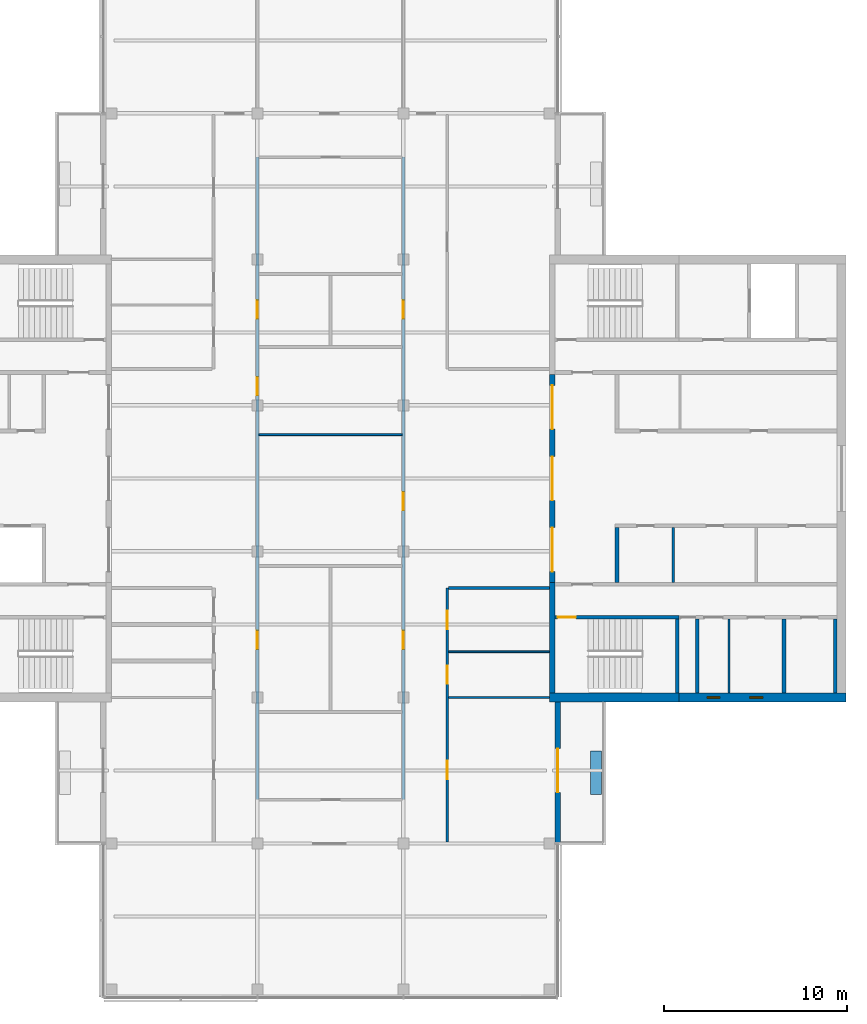
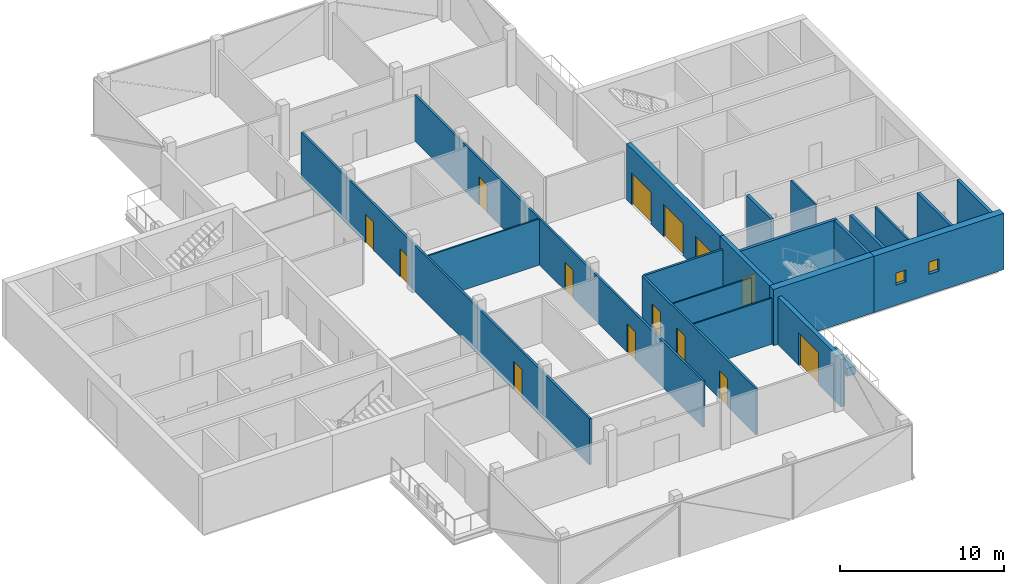
# One storey, part 6 of 12: 21 walls, 14 doors, 2 windows, 16 openings.
"""IFC4 building model written with IfcOpenShell, lengths in metres."""

from ifc_helpers import new_model, si_unit, direction, frame, frame_2d, origin, place, context, subcontext, project, spatial, rectangle, extrude, material, layer, layer_set, constituent, constituent_set, type_object, element, fill, save


model = new_model("IFC4")

# Units and contexts
model_context = context("Model", 3, precision=1e-05, world=origin(), true_north=direction((0.0, 1.0)))
body_context = subcontext(model_context, "Body", "Model", "MODEL_VIEW")
ifc_project = project(units=[si_unit("LENGTHUNIT", "METRE"), si_unit("AREAUNIT", "SQUARE_METRE"), si_unit("VOLUMEUNIT", "CUBIC_METRE"), si_unit("PLANEANGLEUNIT", "RADIAN"), si_unit("MASSUNIT", "GRAM", prefix="KILO")], contexts=[model_context])

# Site, building, storey
site_placement = place(None, origin())
site = spatial("IfcSite", under=ifc_project, at=site_placement, CompositionType="ELEMENT")
building_placement = place(site_placement, origin())
building = spatial("IfcBuilding", under=site, at=building_placement, Name="Crosswind Convention Tower", CompositionType="ELEMENT")
storey_placement = place(building_placement, frame((0.0, 0.0, 311.300048828125)))
storey = spatial("IfcBuildingStorey", under=building, at=storey_placement, Name="L67", CompositionType="ELEMENT", Elevation=311.300048828125)

# Wall
ifc_material_1 = material(Name="Concrete blockwork", Category="masonry")
ifc_layer_1 = layer(ifc_material_1, 0.199951171875)
ifc_layer_set_1 = layer_set([ifc_layer_1], Name="Blockwork partition wall 200")
wall_type_1 = type_object("IfcWallType", Name="Blockwork partition wall 200", PredefinedType="PARTITIONING", material=ifc_layer_set_1)
wall_1_placement = place(storey_placement, frame((145.10009765625, 88.25, 0.0), z_axis=(0.0, 0.0, 1.0), x_axis=(0.0, 1.0, 0.0)))
element("IfcWall", 1, at=wall_1_placement, inside=storey, type_object=wall_type_1, Name="Wall MRSE E L67", PredefinedType="PARTITIONING", context=body_context, shape_type="SweptSolid", body=[
    extrude(rectangle(XDim=4.050048828125, YDim=0.199951171875, at=frame_2d((2.02490234375, 0.0))), origin(), (0.0, 0.0, 1.0), 4.199951171875),
])

# Wall, openings, doors
ifc_material_2 = material(Name="Concrete C50/60", Category="concrete")
ifc_layer_2 = layer(ifc_material_2, 0.300048828125)
ifc_layer_set_2 = layer_set([ifc_layer_2], Name="Concrete C50/60")
wall_type_2 = type_object("IfcWallType", Name="Concrete inner core wall 300", PredefinedType="SHEAR", material=ifc_layer_set_2)
wall_2_placement = place(storey_placement, frame((137.14990234375, 94.300048828125, 0.0), z_axis=(0.0, 0.0, 1.0), x_axis=(0.0, 1.0, 0.0)))
wall_2 = element("IfcWall", 2, at=wall_2_placement, inside=storey, type_object=wall_type_2, Name="Wall SCR E L67", PredefinedType="SHEAR", context=body_context, shape_type="SweptSolid", body=[
    extrude(rectangle(XDim=11.39990234375, YDim=0.300048828125, at=frame_2d((5.699951171875, 0.0))), origin(), (0.0, 0.0, 1.0), 4.199951171875),
])
opening_1_placement = place(wall_2_placement, frame((0.60009765625, 0.0, 0.0)))
opening_1 = element("IfcOpeningElement", 3, at=opening_1_placement, cuts=wall_2, Name="Opening D100", PredefinedType="OPENING", context=body_context, shape_type="SweptSolid", body=[
    extrude(rectangle(XDim=2.39990234375, YDim=2.39990234375, at=frame_2d((1.199951171875, 1.199951171875))), frame((0.0, 0.159912109375, 0.0), z_axis=(0.0, -1.0, 0.0), x_axis=(1.0, 0.0, 0.0)), (0.0, 0.0, 1.0), 0.320068359375),
])
opening_2_placement = place(wall_2_placement, frame((4.5, 0.0, 0.0)))
opening_2 = element("IfcOpeningElement", 4, at=opening_2_placement, cuts=wall_2, Name="Opening D100", PredefinedType="OPENING", context=body_context, shape_type="SweptSolid", body=[
    extrude(rectangle(XDim=2.39990234375, YDim=2.39990234375, at=frame_2d((1.199951171875, 1.199951171875))), frame((0.0, 0.159912109375, 0.0), z_axis=(0.0, -1.0, 0.0), x_axis=(1.0, 0.0, 0.0)), (0.0, 0.0, 1.0), 0.320068359375),
])
opening_3_placement = place(wall_2_placement, frame((8.39990234375, 0.0, 0.0)))
opening_3 = element("IfcOpeningElement", 5, at=opening_3_placement, cuts=wall_2, Name="Opening D100", PredefinedType="OPENING", context=body_context, shape_type="SweptSolid", body=[
    extrude(rectangle(XDim=2.39990234375, YDim=2.39990234375, at=frame_2d((1.199951171875, 1.199951171875))), frame((0.0, 0.159912109375, 0.0), z_axis=(0.0, -1.0, 0.0), x_axis=(1.0, 0.0, 0.0)), (0.0, 0.0, 1.0), 0.320068359375),
])
ifc_material_3 = material(Name="Steel fire door with glazed vision panels", Category="steel")
door_type_1 = type_object("IfcDoorType", Name="Fire-rated double door 2400x2400", OperationType="DOUBLE_DOOR_SINGLE_SWING", PredefinedType="DOOR", material=ifc_material_3)
door_1_placement = place(opening_1_placement, origin())
door_1 = element("IfcDoor", 6, at=door_1_placement, inside=storey, type_object=door_type_1, Name="Lobby door 1 L67", ObjectType="D100", OperationType="DOUBLE_DOOR_SINGLE_SWING", OverallHeight=2.39990234375, OverallWidth=2.39990234375, PredefinedType="DOOR", context=body_context, shape_type="SweptSolid", body=[
    extrude(rectangle(XDim=2.39990234375, YDim=2.39990234375, at=frame_2d((1.199951171875, 1.199951171875))), frame((0.0, 0.02490234375, 0.0), z_axis=(0.0, -1.0, 0.0), x_axis=(1.0, 0.0, 0.0)), (0.0, 0.0, 1.0), 0.050048828125),
])
fill(opening_1, door_1)
door_2_placement = place(opening_2_placement, origin())
door_2 = element("IfcDoor", 7, at=door_2_placement, inside=storey, type_object=door_type_1, Name="Lobby door 2 L67", ObjectType="D100", OperationType="DOUBLE_DOOR_SINGLE_SWING", OverallHeight=2.39990234375, OverallWidth=2.39990234375, PredefinedType="DOOR", context=body_context, shape_type="SweptSolid", body=[
    extrude(rectangle(XDim=2.39990234375, YDim=2.39990234375, at=frame_2d((1.199951171875, 1.199951171875))), frame((0.0, 0.02490234375, 0.0), z_axis=(0.0, -1.0, 0.0), x_axis=(1.0, 0.0, 0.0)), (0.0, 0.0, 1.0), 0.050048828125),
])
fill(opening_2, door_2)
door_3_placement = place(opening_3_placement, origin())
door_3 = element("IfcDoor", 8, at=door_3_placement, inside=storey, type_object=door_type_1, Name="Lobby door 3 L67", ObjectType="D100", OperationType="DOUBLE_DOOR_SINGLE_SWING", OverallHeight=2.39990234375, OverallWidth=2.39990234375, PredefinedType="DOOR", context=body_context, shape_type="SweptSolid", body=[
    extrude(rectangle(XDim=2.39990234375, YDim=2.39990234375, at=frame_2d((1.199951171875, 1.199951171875))), frame((0.0, 0.02490234375, 0.0), z_axis=(0.0, -1.0, 0.0), x_axis=(1.0, 0.0, 0.0)), (0.0, 0.0, 1.0), 0.050048828125),
])
fill(opening_3, door_3)

# Walls
wall_3_placement = place(storey_placement, frame((137.14990234375, 88.25, 0.0), z_axis=(0.0, 0.0, 1.0), x_axis=(0.0, 1.0, 0.0)))
element("IfcWall", 9, at=wall_3_placement, inside=storey, type_object=wall_type_2, Name="Wall EM E L67", PredefinedType="SHEAR", context=body_context, shape_type="SweptSolid", body=[
    extrude(rectangle(XDim=6.050048828125, YDim=0.300048828125, at=frame_2d((3.02490234375, 0.0))), origin(), (0.0, 0.0, 1.0), 4.199951171875),
])
ifc_layer_3 = layer(ifc_material_2, 0.199951171875)
ifc_layer_set_3 = layer_set([ifc_layer_3], Name="Concrete C50/60")
wall_type_3 = type_object("IfcWallType", Name="Concrete shaft and stair wall 200", PredefinedType="SHEAR", material=ifc_layer_set_3)
wall_4_placement = place(storey_placement, frame((140.699951171875, 94.300048828125, 0.0), z_axis=(0.0, 0.0, 1.0), x_axis=(0.0, 1.0, 0.0)))
element("IfcWall", 10, at=wall_4_placement, inside=storey, type_object=wall_type_3, Name="Wall RMEND E L67", PredefinedType="SHEAR", context=body_context, shape_type="SweptSolid", body=[
    extrude(rectangle(XDim=3.0, YDim=0.199951171875, at=frame_2d((1.5, 0.0))), origin(), (0.0, 0.0, 1.0), 4.199951171875),
])
for number, where, z_axis, x_axis, name in (
    (11, (144.0, 88.25, 0.0), (0.0, 0.0, 1.0), (0.0, 1.0, 0.0), "Wall MSE E L67"),
    (12, (149.85009765625, 88.25, 0.0), (0.0, 0.0, 1.0), (0.0, 1.0, 0.0), "Wall MFSW E L67"),
    (13, (152.64990234375, 88.25, 0.0), (0.0, 0.0, 1.0), (0.0, 1.0, 0.0), "Wall MFSE E L67"),
):
    element("IfcWall", number, at=place(storey_placement, frame(where, z_axis=z_axis, x_axis=x_axis)), inside=storey, type_object=wall_type_3, Name=name, PredefinedType="SHEAR", context=body_context, shape_type="SweptSolid", body=[
        extrude(rectangle(XDim=4.050048828125, YDim=0.199951171875, at=frame_2d((2.02490234375, 0.0))), origin(), (0.0, 0.0, 1.0), 4.199951171875),
    ])

# Wall, opening, door
wall_5_placement = place(storey_placement, frame((137.300048828125, 92.39990234375, 0.0), z_axis=(0.0, 0.0, 1.0), x_axis=(1.0, 0.0, 0.0)))
wall_5 = element("IfcWall", 14, at=wall_5_placement, inside=storey, type_object=wall_type_3, Name="Wall MCW E L67", PredefinedType="SHEAR", context=body_context, shape_type="SweptSolid", body=[
    extrude(rectangle(XDim=6.800048828125, YDim=0.199951171875, at=frame_2d((3.39990234375, 0.0))), origin(), (0.0, 0.0, 1.0), 4.199951171875),
])
opening_4_placement = place(wall_5_placement, frame((0.14990234375, 0.0, 0.0)))
opening_4 = element("IfcOpeningElement", 15, at=opening_4_placement, cuts=wall_5, Name="Opening D103", PredefinedType="OPENING", context=body_context, shape_type="SweptSolid", body=[
    extrude(rectangle(XDim=1.0, YDim=2.10009765625, at=frame_2d((0.5, 1.050048828125))), frame((0.0, 0.10986328125, 0.0), z_axis=(0.0, -1.0, 0.0), x_axis=(1.0, 0.0, 0.0)), (0.0, 0.0, 1.0), 0.219970703125),
])
ifc_material_4 = material(Name="Steel fire door", Category="steel")
door_type_2 = type_object("IfcDoorType", Name="Fire-rated single door 1000x2100", OperationType="NOTDEFINED", PredefinedType="DOOR", material=ifc_material_4)
door_4_placement = place(opening_4_placement, frame((1.0, 0.0, 0.0), z_axis=(0.0, 0.0, 1.0), x_axis=(-1.0, 0.0, 0.0)))
door_4 = element("IfcDoor", 16, at=door_4_placement, inside=storey, type_object=door_type_2, Name="Stair ST2 door L67", ObjectType="D103", OperationType="SINGLE_SWING_RIGHT", OverallHeight=2.10009765625, OverallWidth=1.0, PredefinedType="DOOR", context=body_context, shape_type="SweptSolid", body=[
    extrude(rectangle(XDim=1.0, YDim=2.10009765625, at=frame_2d((0.5, 1.050048828125))), frame((0.0, 0.02490234375, 0.0), z_axis=(0.0, -1.0, 0.0), x_axis=(1.0, 0.0, 0.0)), (0.0, 0.0, 1.0), 0.050048828125),
])
fill(opening_4, door_4)

# Walls
ifc_material_5 = material(Name="Gypsum plasterboard partition", Category="gypsum")
ifc_layer_4 = layer(ifc_material_5, 0.125)
ifc_layer_set_4 = layer_set([ifc_layer_4], Name="Drywall partition wall 125")
wall_type_4 = type_object("IfcWallType", Name="Drywall partition wall 125", PredefinedType="PARTITIONING", material=ifc_layer_set_4)
wall_6_placement = place(storey_placement, frame((143.78759765625, 94.300048828125, 0.0), z_axis=(0.0, 0.0, 1.0), x_axis=(0.0, 1.0, 0.0)))
element("IfcWall", 17, at=wall_6_placement, inside=storey, type_object=wall_type_4, Name="Wall RMP1 E L67", PredefinedType="PARTITIONING", context=body_context, shape_type="SweptSolid", body=[
    extrude(rectangle(XDim=3.0, YDim=0.125, at=frame_2d((1.5, 0.0))), origin(), (0.0, 0.0, 1.0), 4.199951171875),
])
wall_7_placement = place(storey_placement, frame((146.837890625, 88.25, 0.0), z_axis=(0.0, 0.0, 1.0), x_axis=(0.0, 1.0, 0.0)))
element("IfcWall", 18, at=wall_7_placement, inside=storey, type_object=wall_type_4, Name="Wall MWP1 E L67", PredefinedType="PARTITIONING", context=body_context, shape_type="SweptSolid", body=[
    extrude(rectangle(XDim=4.050048828125, YDim=0.125, at=frame_2d((2.02490234375, 0.0))), origin(), (0.0, 0.0, 1.0), 4.199951171875),
])
ifc_material_6 = material(Name="Plasterboard partition", Category="gypsum")
ifc_layer_5 = layer(ifc_material_6, 0.10009765625)
ifc_layer_set_5 = layer_set([ifc_layer_5], Name="PARTITION 100 METAL STUD")
wall_type_5 = type_object("IfcWallType", Name="PARTITION 100 METAL STUD", PredefinedType="PARTITIONING", material=ifc_layer_set_5)
for number, where, z_axis, x_axis, name in (
    (19, (131.47509765625, 88.0, 0.0), (0.0, 0.0, 1.0), (1.0, 0.0, 0.0), "Partition wall WT40"),
    (20, (131.47509765625, 90.5, 0.0), (0.0, 0.0, 1.0), (1.0, 0.0, 0.0), "Partition wall WT40"),
):
    element("IfcWall", number, at=place(storey_placement, frame(where, z_axis=z_axis, x_axis=x_axis)), inside=storey, type_object=wall_type_5, Name=name, PredefinedType="PARTITIONING", context=body_context, shape_type="SweptSolid", body=[
        extrude(rectangle(XDim=5.52490234375, YDim=0.10009765625, at=frame_2d((2.762451171875, 0.0))), origin(), (0.0, 0.0, 1.0), 3.44287109375),
    ])
wall_8_placement = place(storey_placement, frame((121.074951171875, 102.39990234375, 0.0), z_axis=(0.0, 0.0, 1.0), x_axis=(1.0, 0.0, 0.0)))
element("IfcWall", 21, at=wall_8_placement, inside=storey, type_object=wall_type_5, Name="Partition wall WT40", PredefinedType="PARTITIONING", context=body_context, shape_type="SweptSolid", body=[
    extrude(rectangle(XDim=7.85009765625, YDim=0.10009765625, at=frame_2d((3.925048828125, 0.0))), origin(), (0.0, 0.0, 1.0), 3.44287109375),
])
ifc_material_7 = material(Name="Concrete C30/37", Category="concrete")
ifc_layer_6 = layer(ifc_material_7, 0.60009765625)
ifc_layer_set_6 = layer_set([ifc_layer_6], Name="Concrete C30/37")
wall_type_6 = type_object("IfcWallType", Name="PLANTER BOX WALL 600", PredefinedType="SOLIDWALL", material=ifc_layer_set_6)
wall_9_placement = place(storey_placement, frame((139.550048828125, 82.675048828125, 0.0), z_axis=(0.0, 0.0, 1.0), x_axis=(0.0, 1.0, 0.0)))
element("IfcWall", 22, at=wall_9_placement, inside=storey, type_object=wall_type_6, Name="PLANTER L67 S-E.1-2", PredefinedType="SOLIDWALL", context=body_context, shape_type="SweptSolid", body=[
    extrude(rectangle(XDim=2.39990234375, YDim=0.60009765625, at=frame_2d((1.199951171875, 0.0))), origin(), (0.0, 0.0, 1.0), 0.599853515625),
])

# Wall, openings, doors
ifc_material_8 = material(Name="Fire-board partition with mineral wool", Category="gypsum")
ifc_layer_7 = layer(ifc_material_8, 0.14990234375)
ifc_layer_set_7 = layer_set([ifc_layer_7], Name="TENANCY WALL 150 TWO-HOUR BOARD")
wall_type_7 = type_object("IfcWallType", Name="TENANCY WALL 150 TWO-HOUR BOARD", PredefinedType="PARTITIONING", material=ifc_layer_set_7)
wall_10_placement = place(storey_placement, frame((121.0, 82.39990234375, 0.0), z_axis=(0.0, 0.0, 1.0), x_axis=(0.0, 1.0, 0.0)))
wall_10 = element("IfcWall", 23, at=wall_10_placement, inside=storey, type_object=wall_type_7, Name="Tenancy wall WT41", PredefinedType="PARTITIONING", context=body_context, shape_type="SweptSolid", body=[
    extrude(rectangle(XDim=35.2001953125, YDim=0.14990234375, at=frame_2d((17.60009765625, 0.0))), origin(), (0.0, 0.0, 1.0), 3.44287109375),
])
opening_5_placement = place(wall_10_placement, frame((8.25, 0.0, 0.0)))
opening_5 = element("IfcOpeningElement", 24, at=opening_5_placement, cuts=wall_10, Name="Opening L67-66", PredefinedType="OPENING", context=body_context, shape_type="SweptSolid", body=[
    extrude(rectangle(XDim=1.0, YDim=2.10009765625, at=frame_2d((0.5, 1.050048828125))), frame((0.0, 0.0849609375, 0.0), z_axis=(0.0, -1.0, 0.0), x_axis=(1.0, 0.0, 0.0)), (0.0, 0.0, 1.0), 0.169921875),
])
opening_6_placement = place(wall_10_placement, frame((22.14990234375, 0.0, 0.0)))
opening_6 = element("IfcOpeningElement", 25, at=opening_6_placement, cuts=wall_10, Name="Opening L67-69", PredefinedType="OPENING", context=body_context, shape_type="SweptSolid", body=[
    extrude(rectangle(XDim=1.0, YDim=2.10009765625, at=frame_2d((0.5, 1.050048828125))), frame((0.0, 0.0849609375, 0.0), z_axis=(0.0, -1.0, 0.0), x_axis=(1.0, 0.0, 0.0)), (0.0, 0.0, 1.0), 0.169921875),
])
opening_7_placement = place(wall_10_placement, frame((26.35009765625, 0.0, 0.0)))
opening_7 = element("IfcOpeningElement", 26, at=opening_7_placement, cuts=wall_10, Name="Opening L67-70", PredefinedType="OPENING", context=body_context, shape_type="SweptSolid", body=[
    extrude(rectangle(XDim=1.0, YDim=2.10009765625, at=frame_2d((0.5, 1.050048828125))), frame((0.0, 0.0849609375, 0.0), z_axis=(0.0, -1.0, 0.0), x_axis=(1.0, 0.0, 0.0)), (0.0, 0.0, 1.0), 0.169921875),
])
ifc_material_9 = material(Name="Timber fire door", Category="wood")
door_type_3 = type_object("IfcDoorType", Name="TENANCY ENTRANCE DOOR 1000X2100 FD30S", OperationType="NOTDEFINED", PredefinedType="DOOR", material=ifc_material_9)
door_5_placement = place(opening_5_placement, frame((1.0, 0.0, 0.0), z_axis=(0.0, 0.0, 1.0), x_axis=(-1.0, 0.0, 0.0)))
door_5 = element("IfcDoor", 27, at=door_5_placement, inside=storey, type_object=door_type_3, Name="Door L67-66", ObjectType="D41", OperationType="SINGLE_SWING_RIGHT", OverallHeight=2.10009765625, OverallWidth=1.0, PredefinedType="DOOR", context=body_context, shape_type="SweptSolid", body=[
    extrude(rectangle(XDim=1.0, YDim=2.10009765625, at=frame_2d((0.5, 1.050048828125))), frame((0.0, 0.02490234375, 0.0), z_axis=(0.0, -1.0, 0.0), x_axis=(1.0, 0.0, 0.0)), (0.0, 0.0, 1.0), 0.050048828125),
])
fill(opening_5, door_5)
door_6_placement = place(opening_6_placement, frame((1.0, 0.0, 0.0), z_axis=(0.0, 0.0, 1.0), x_axis=(-1.0, 0.0, 0.0)))
door_6 = element("IfcDoor", 28, at=door_6_placement, inside=storey, type_object=door_type_3, Name="Door L67-69", ObjectType="D41", OperationType="SINGLE_SWING_RIGHT", OverallHeight=2.10009765625, OverallWidth=1.0, PredefinedType="DOOR", context=body_context, shape_type="SweptSolid", body=[
    extrude(rectangle(XDim=1.0, YDim=2.10009765625, at=frame_2d((0.5, 1.050048828125))), frame((0.0, 0.02490234375, 0.0), z_axis=(0.0, -1.0, 0.0), x_axis=(1.0, 0.0, 0.0)), (0.0, 0.0, 1.0), 0.050048828125),
])
fill(opening_6, door_6)
door_7_placement = place(opening_7_placement, frame((1.0, 0.0, 0.0), z_axis=(0.0, 0.0, 1.0), x_axis=(-1.0, 0.0, 0.0)))
door_7 = element("IfcDoor", 29, at=door_7_placement, inside=storey, type_object=door_type_3, Name="Door L67-70", ObjectType="D41", OperationType="SINGLE_SWING_LEFT", OverallHeight=2.10009765625, OverallWidth=1.0, PredefinedType="DOOR", context=body_context, shape_type="SweptSolid", body=[
    extrude(rectangle(XDim=1.0, YDim=2.10009765625, at=frame_2d((0.5, 1.050048828125))), frame((0.0, 0.02490234375, 0.0), z_axis=(0.0, -1.0, 0.0), x_axis=(1.0, 0.0, 0.0)), (0.0, 0.0, 1.0), 0.050048828125),
])
fill(opening_7, door_7)

wall_11_placement = place(storey_placement, frame((129.0, 82.39990234375, 0.0), z_axis=(0.0, 0.0, 1.0), x_axis=(0.0, 1.0, 0.0)))
wall_11 = element("IfcWall", 30, at=wall_11_placement, inside=storey, type_object=wall_type_7, Name="Tenancy wall WT41", PredefinedType="PARTITIONING", context=body_context, shape_type="SweptSolid", body=[
    extrude(rectangle(XDim=35.2001953125, YDim=0.14990234375, at=frame_2d((17.60009765625, 0.0))), origin(), (0.0, 0.0, 1.0), 3.44287109375),
])
opening_8_placement = place(wall_11_placement, frame((8.25, 0.0, 0.0)))
opening_8 = element("IfcOpeningElement", 31, at=opening_8_placement, cuts=wall_11, Name="Opening L67-67", PredefinedType="OPENING", context=body_context, shape_type="SweptSolid", body=[
    extrude(rectangle(XDim=1.0, YDim=2.10009765625, at=frame_2d((0.5, 1.050048828125))), frame((0.0, 0.0849609375, 0.0), z_axis=(0.0, -1.0, 0.0), x_axis=(1.0, 0.0, 0.0)), (0.0, 0.0, 1.0), 0.169921875),
])
opening_9_placement = place(wall_11_placement, frame((15.85009765625, 0.0, 0.0)))
opening_9 = element("IfcOpeningElement", 32, at=opening_9_placement, cuts=wall_11, Name="Opening L67-68", PredefinedType="OPENING", context=body_context, shape_type="SweptSolid", body=[
    extrude(rectangle(XDim=1.0, YDim=2.10009765625, at=frame_2d((0.5, 1.050048828125))), frame((0.0, 0.0849609375, 0.0), z_axis=(0.0, -1.0, 0.0), x_axis=(1.0, 0.0, 0.0)), (0.0, 0.0, 1.0), 0.169921875),
])
opening_10_placement = place(wall_11_placement, frame((26.35009765625, 0.0, 0.0)))
opening_10 = element("IfcOpeningElement", 33, at=opening_10_placement, cuts=wall_11, Name="Opening L67-71", PredefinedType="OPENING", context=body_context, shape_type="SweptSolid", body=[
    extrude(rectangle(XDim=1.0, YDim=2.10009765625, at=frame_2d((0.5, 1.050048828125))), frame((0.0, 0.0849609375, 0.0), z_axis=(0.0, -1.0, 0.0), x_axis=(1.0, 0.0, 0.0)), (0.0, 0.0, 1.0), 0.169921875),
])
door_8_placement = place(opening_8_placement, origin())
door_8 = element("IfcDoor", 34, at=door_8_placement, inside=storey, type_object=door_type_3, Name="Door L67-67", ObjectType="D41", OperationType="SINGLE_SWING_LEFT", OverallHeight=2.10009765625, OverallWidth=1.0, PredefinedType="DOOR", context=body_context, shape_type="SweptSolid", body=[
    extrude(rectangle(XDim=1.0, YDim=2.10009765625, at=frame_2d((0.5, 1.050048828125))), frame((0.0, 0.02490234375, 0.0), z_axis=(0.0, -1.0, 0.0), x_axis=(1.0, 0.0, 0.0)), (0.0, 0.0, 1.0), 0.050048828125),
])
fill(opening_8, door_8)
door_9_placement = place(opening_9_placement, origin())
door_9 = element("IfcDoor", 35, at=door_9_placement, inside=storey, type_object=door_type_3, Name="Door L67-68", ObjectType="D41", OperationType="SINGLE_SWING_LEFT", OverallHeight=2.10009765625, OverallWidth=1.0, PredefinedType="DOOR", context=body_context, shape_type="SweptSolid", body=[
    extrude(rectangle(XDim=1.0, YDim=2.10009765625, at=frame_2d((0.5, 1.050048828125))), frame((0.0, 0.02490234375, 0.0), z_axis=(0.0, -1.0, 0.0), x_axis=(1.0, 0.0, 0.0)), (0.0, 0.0, 1.0), 0.050048828125),
])
fill(opening_9, door_9)
door_10_placement = place(opening_10_placement, origin())
door_10 = element("IfcDoor", 36, at=door_10_placement, inside=storey, type_object=door_type_3, Name="Door L67-71", ObjectType="D41", OperationType="SINGLE_SWING_RIGHT", OverallHeight=2.10009765625, OverallWidth=1.0, PredefinedType="DOOR", context=body_context, shape_type="SweptSolid", body=[
    extrude(rectangle(XDim=1.0, YDim=2.10009765625, at=frame_2d((0.5, 1.050048828125))), frame((0.0, 0.02490234375, 0.0), z_axis=(0.0, -1.0, 0.0), x_axis=(1.0, 0.0, 0.0)), (0.0, 0.0, 1.0), 0.050048828125),
])
fill(opening_10, door_10)

wall_12_placement = place(storey_placement, frame((131.39990234375, 80.074951171875, 0.0), z_axis=(0.0, 0.0, 1.0), x_axis=(0.0, 1.0, 0.0)))
wall_12 = element("IfcWall", 37, at=wall_12_placement, inside=storey, type_object=wall_type_7, Name="Tenancy wall WT41", PredefinedType="PARTITIONING", context=body_context, shape_type="SweptSolid", body=[
    extrude(rectangle(XDim=13.925048828125, YDim=0.14990234375, at=frame_2d((6.96240234375, 0.0))), origin(), (0.0, 0.0, 1.0), 3.44287109375),
])
opening_11_placement = place(wall_12_placement, frame((11.675048828125, 0.0, 0.0)))
opening_11 = element("IfcOpeningElement", 38, at=opening_11_placement, cuts=wall_12, Name="Opening L67-51", PredefinedType="OPENING", context=body_context, shape_type="SweptSolid", body=[
    extrude(rectangle(XDim=1.0, YDim=2.10009765625, at=frame_2d((0.5, 1.050048828125))), frame((0.0, 0.0849609375, 0.0), z_axis=(0.0, -1.0, 0.0), x_axis=(1.0, 0.0, 0.0)), (0.0, 0.0, 1.0), 0.169921875),
])
opening_12_placement = place(wall_12_placement, frame((8.675048828125, 0.0, 0.0)))
opening_12 = element("IfcOpeningElement", 39, at=opening_12_placement, cuts=wall_12, Name="Opening L67-52", PredefinedType="OPENING", context=body_context, shape_type="SweptSolid", body=[
    extrude(rectangle(XDim=1.0, YDim=2.10009765625, at=frame_2d((0.5, 1.050048828125))), frame((0.0, 0.0849609375, 0.0), z_axis=(0.0, -1.0, 0.0), x_axis=(1.0, 0.0, 0.0)), (0.0, 0.0, 1.0), 0.169921875),
])
opening_13_placement = place(wall_12_placement, frame((3.449951171875, 0.0, 0.0)))
opening_13 = element("IfcOpeningElement", 40, at=opening_13_placement, cuts=wall_12, Name="Opening L67-53", PredefinedType="OPENING", context=body_context, shape_type="SweptSolid", body=[
    extrude(rectangle(XDim=1.0, YDim=2.10009765625, at=frame_2d((0.5, 1.050048828125))), frame((0.0, 0.0849609375, 0.0), z_axis=(0.0, -1.0, 0.0), x_axis=(1.0, 0.0, 0.0)), (0.0, 0.0, 1.0), 0.169921875),
])
door_11_placement = place(opening_11_placement, frame((1.0, 0.0, 0.0), z_axis=(0.0, 0.0, 1.0), x_axis=(-1.0, 0.0, 0.0)))
door_11 = element("IfcDoor", 41, at=door_11_placement, inside=storey, type_object=door_type_3, Name="Door L67-51", ObjectType="D41", OperationType="SINGLE_SWING_LEFT", OverallHeight=2.10009765625, OverallWidth=1.0, PredefinedType="DOOR", context=body_context, shape_type="SweptSolid", body=[
    extrude(rectangle(XDim=1.0, YDim=2.10009765625, at=frame_2d((0.5, 1.050048828125))), frame((0.0, 0.02490234375, 0.0), z_axis=(0.0, -1.0, 0.0), x_axis=(1.0, 0.0, 0.0)), (0.0, 0.0, 1.0), 0.050048828125),
])
fill(opening_11, door_11)
door_12_placement = place(opening_12_placement, frame((1.0, 0.0, 0.0), z_axis=(0.0, 0.0, 1.0), x_axis=(-1.0, 0.0, 0.0)))
door_12 = element("IfcDoor", 42, at=door_12_placement, inside=storey, type_object=door_type_3, Name="Door L67-52", ObjectType="D41", OperationType="SINGLE_SWING_LEFT", OverallHeight=2.10009765625, OverallWidth=1.0, PredefinedType="DOOR", context=body_context, shape_type="SweptSolid", body=[
    extrude(rectangle(XDim=1.0, YDim=2.10009765625, at=frame_2d((0.5, 1.050048828125))), frame((0.0, 0.02490234375, 0.0), z_axis=(0.0, -1.0, 0.0), x_axis=(1.0, 0.0, 0.0)), (0.0, 0.0, 1.0), 0.050048828125),
])
fill(opening_12, door_12)
door_13_placement = place(opening_13_placement, frame((1.0, 0.0, 0.0), z_axis=(0.0, 0.0, 1.0), x_axis=(-1.0, 0.0, 0.0)))
door_13 = element("IfcDoor", 43, at=door_13_placement, inside=storey, type_object=door_type_3, Name="Door L67-53", ObjectType="D41", OperationType="SINGLE_SWING_LEFT", OverallHeight=2.10009765625, OverallWidth=1.0, PredefinedType="DOOR", context=body_context, shape_type="SweptSolid", body=[
    extrude(rectangle(XDim=1.0, YDim=2.10009765625, at=frame_2d((0.5, 1.050048828125))), frame((0.0, 0.02490234375, 0.0), z_axis=(0.0, -1.0, 0.0), x_axis=(1.0, 0.0, 0.0)), (0.0, 0.0, 1.0), 0.050048828125),
])
fill(opening_13, door_13)

# Wall
wall_13_placement = place(storey_placement, frame((131.47509765625, 94.0, 0.0), z_axis=(0.0, 0.0, 1.0), x_axis=(1.0, 0.0, 0.0)))
element("IfcWall", 44, at=wall_13_placement, inside=storey, type_object=wall_type_7, Name="Tenancy wall WT41", PredefinedType="PARTITIONING", context=body_context, shape_type="SweptSolid", body=[
    extrude(rectangle(XDim=5.52490234375, YDim=0.14990234375, at=frame_2d((2.762451171875, 0.0))), origin(), (0.0, 0.0, 1.0), 3.44287109375),
])

# Wall, opening, door
ifc_material_10 = material(Name="Terracotta rainscreen", Category="ceramic")
ifc_layer_8 = layer(ifc_material_10, 0.02001953125)
ifc_material_11 = material(Name="Mineral wool insulation", Category="insulation")
ifc_layer_9 = layer(ifc_material_11, 0.10009765625)
ifc_layer_10 = layer(ifc_material_1, 0.179931640625)
ifc_layer_set_8 = layer_set([ifc_layer_8, ifc_layer_9, ifc_layer_10], Name="TERRACOTTA INFILL WALL 300")
wall_type_8 = type_object("IfcWallType", Name="TERRACOTTA INFILL WALL 300", PredefinedType="SOLIDWALL", material=ifc_layer_set_8)
wall_14_placement = place(storey_placement, frame((137.449951171875, 80.034912109375, 0.0), z_axis=(0.0, 0.0, 1.0), x_axis=(0.0, 1.0, 0.0)))
wall_14 = element("IfcWall", 45, at=wall_14_placement, inside=storey, type_object=wall_type_8, Name="Notch front wall L67 S-E.1-2", PredefinedType="SOLIDWALL", context=body_context, shape_type="SweptSolid", body=[
    extrude(rectangle(XDim=7.715087890625, YDim=0.300048828125, at=frame_2d((3.857421875, 0.0))), origin(), (0.0, 0.0, 1.0), 3.54443359375),
])
opening_14_placement = place(wall_14_placement, frame((2.764892578125, 0.0, 0.0)))
opening_14 = element("IfcOpeningElement", 46, at=opening_14_placement, cuts=wall_14, Name="Opening D143", PredefinedType="OPENING", context=body_context, shape_type="SweptSolid", body=[
    extrude(rectangle(XDim=2.39990234375, YDim=2.39990234375, at=frame_2d((1.199951171875, 1.199951171875))), frame((0.0, 0.159912109375, 0.0), z_axis=(0.0, -1.0, 0.0), x_axis=(1.0, 0.0, 0.0)), (0.0, 0.0, 1.0), 0.320068359375),
])
ifc_material_12 = material(Name="Aluminium glazed door", Category="aluminium")
door_type_4 = type_object("IfcDoorType", Name="WINTER GARDEN SLIDING DOOR 2400X2400", OperationType="SLIDING_TO_LEFT", PredefinedType="DOOR", material=ifc_material_12)
door_14_placement = place(opening_14_placement, frame((2.39990234375, 0.0, 0.0), z_axis=(0.0, 0.0, 1.0), x_axis=(-1.0, 0.0, 0.0)))
door_14 = element("IfcDoor", 47, at=door_14_placement, inside=storey, type_object=door_type_4, Name="D143 winter garden door L67 S-E.1-2", ObjectType="D143", OperationType="SLIDING_TO_LEFT", OverallHeight=2.39990234375, OverallWidth=2.39990234375, PredefinedType="DOOR", context=body_context, shape_type="SweptSolid", body=[
    extrude(rectangle(XDim=2.39990234375, YDim=2.39990234375, at=frame_2d((1.199951171875, 1.199951171875))), frame((0.0, 0.02490234375, 0.0), z_axis=(0.0, -1.0, 0.0), x_axis=(1.0, 0.0, 0.0)), (0.0, 0.0, 1.0), 0.050048828125),
])
fill(opening_14, door_14)

# Wall
ifc_material_13 = material(Name="Concrete C60/75", Category="concrete")
ifc_constituent_1 = constituent(ifc_material_13, Name="Structure")
ifc_constituent_2 = constituent(ifc_material_10, Name="Facing")
ifc_constituent_set = constituent_set(constituents=[ifc_constituent_1, ifc_constituent_2], Name="Concrete C60/75, Terracotta rainscreen")
wall_type_9 = type_object("IfcWallType", Name="Terracotta rainscreen on concrete core wall 500", PredefinedType="SHEAR", material=ifc_constituent_set)
wall_15_placement = place(storey_placement, frame((137.0, 88.0, 0.0), z_axis=(0.0, 0.0, 1.0), x_axis=(1.0, 0.0, 0.0)))
element("IfcWall", 48, at=wall_15_placement, inside=storey, type_object=wall_type_9, Name="Wall S1 E L67", PredefinedType="SHEAR", context=body_context, shape_type="SweptSolid", body=[
    extrude(rectangle(XDim=7.10009765625, YDim=0.5, at=frame_2d((3.550048828125, 0.0))), origin(), (0.0, 0.0, 1.0), 4.199951171875),
])

# Wall, openings, windows
wall_16_placement = place(storey_placement, frame((144.10009765625, 88.0, 0.0), z_axis=(0.0, 0.0, 1.0), x_axis=(1.0, 0.0, 0.0)))
wall_16 = element("IfcWall", 49, at=wall_16_placement, inside=storey, type_object=wall_type_9, Name="Wall S2 E L67", PredefinedType="SHEAR", context=body_context, shape_type="SweptSolid", body=[
    extrude(rectangle(XDim=9.14990234375, YDim=0.5, at=frame_2d((4.574951171875, 0.0))), origin(), (0.0, 0.0, 1.0), 4.199951171875),
])
opening_15_placement = place(wall_16_placement, frame((1.537841796875, 0.0, 1.5)))
opening_15 = element("IfcOpeningElement", 50, at=opening_15_placement, cuts=wall_16, Name="Opening W2", PredefinedType="OPENING", context=body_context, shape_type="SweptSolid", body=[
    extrude(rectangle(XDim=0.699951171875, YDim=0.89990234375, at=frame_2d((0.35009765625, 0.449951171875))), frame((0.0, 0.260009765625, 0.0), z_axis=(0.0, -1.0, 0.0), x_axis=(1.0, 0.0, 0.0)), (0.0, 0.0, 1.0), 0.52001953125),
])
opening_16_placement = place(wall_16_placement, frame((3.875244140625, 0.0, 1.5)))
opening_16 = element("IfcOpeningElement", 51, at=opening_16_placement, cuts=wall_16, Name="Opening W2", PredefinedType="OPENING", context=body_context, shape_type="SweptSolid", body=[
    extrude(rectangle(XDim=0.699951171875, YDim=0.89990234375, at=frame_2d((0.35009765625, 0.449951171875))), frame((0.0, 0.260009765625, 0.0), z_axis=(0.0, -1.0, 0.0), x_axis=(1.0, 0.0, 0.0)), (0.0, 0.0, 1.0), 0.52001953125),
])
ifc_material_14 = material(Name="Obscure glass in aluminium frame", Category="aluminium")
window_type = type_object("IfcWindowType", Name="WC window 700x900", PartitioningType="SINGLE_PANEL", PredefinedType="WINDOW", material=ifc_material_14)
window_1_placement = place(opening_15_placement, origin())
window_1 = element("IfcWindow", 52, at=window_1_placement, inside=storey, type_object=window_type, Name="WC window L67", ObjectType="W2", OverallHeight=0.89990234375, OverallWidth=0.699951171875, PartitioningType="SINGLE_PANEL", PredefinedType="WINDOW", context=body_context, shape_type="SweptSolid", body=[
    extrude(rectangle(XDim=0.699951171875, YDim=0.89990234375, at=frame_2d((0.35009765625, 0.449951171875))), frame((0.0, 0.030029296875, 0.0), z_axis=(0.0, -1.0, 0.0), x_axis=(1.0, 0.0, 0.0)), (0.0, 0.0, 1.0), 0.06005859375),
])
fill(opening_15, window_1)
window_2_placement = place(opening_16_placement, origin())
window_2 = element("IfcWindow", 53, at=window_2_placement, inside=storey, type_object=window_type, Name="WC window L67", ObjectType="W2", OverallHeight=0.89990234375, OverallWidth=0.699951171875, PartitioningType="SINGLE_PANEL", PredefinedType="WINDOW", context=body_context, shape_type="SweptSolid", body=[
    extrude(rectangle(XDim=0.699951171875, YDim=0.89990234375, at=frame_2d((0.35009765625, 0.449951171875))), frame((0.0, 0.030029296875, 0.0), z_axis=(0.0, -1.0, 0.0), x_axis=(1.0, 0.0, 0.0)), (0.0, 0.0, 1.0), 0.06005859375),
])
fill(opening_16, window_2)

save(model, "model.ifc")
